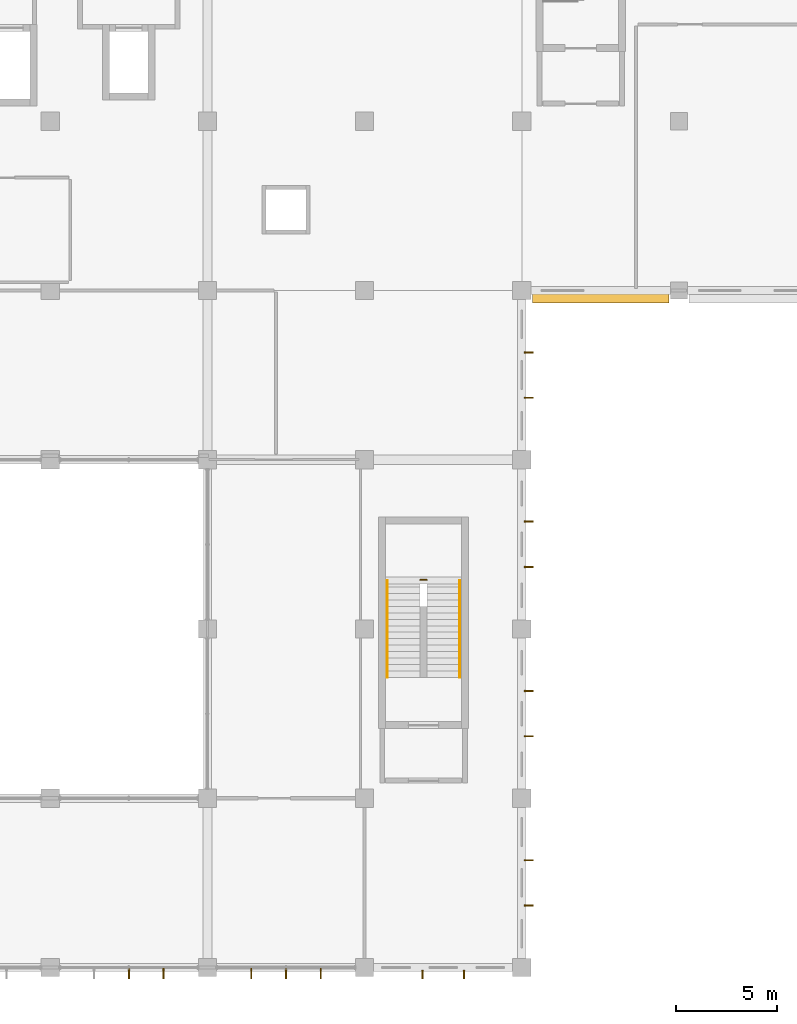
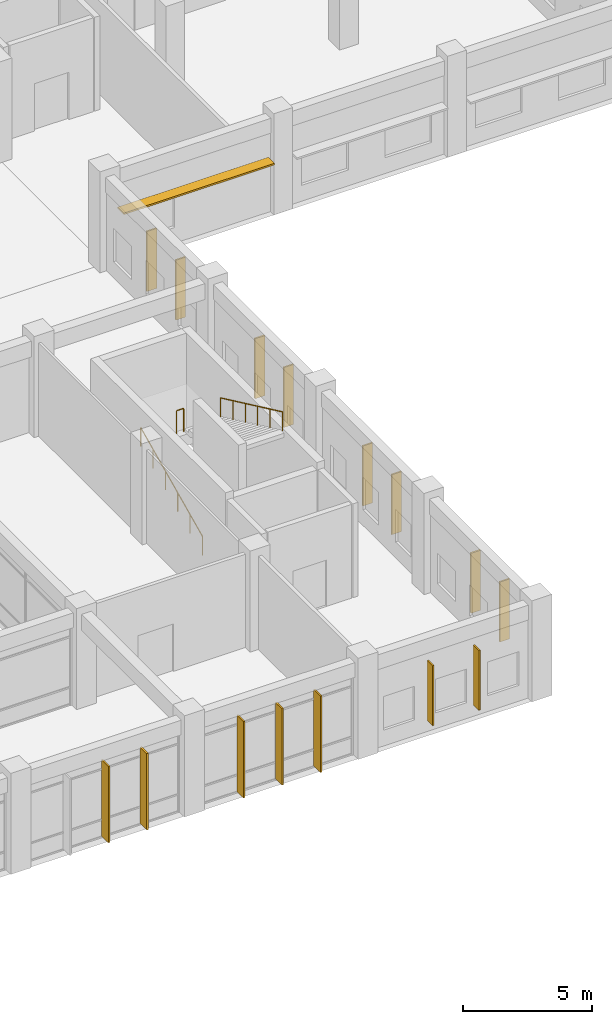
# One storey, part 77 of 79: 16 shading devices, 3 railings.
"""IFC4 building model written with IfcOpenShell, lengths in metres."""

from ifc_helpers import new_model, si_unit, direction, frame, origin, origin_2d, place, context, subcontext, project, spatial, rectangle, circle, extrude, material, layer, layer_set, type_object, element, save


model = new_model("IFC4")

# Units and contexts
model_context = context("Model", 3, precision=1e-05, world=origin(), true_north=direction((0.0, 1.0)))
body_context = subcontext(model_context, "Body", "Model", "MODEL_VIEW")
ifc_project = project(units=[si_unit("LENGTHUNIT", "METRE"), si_unit("AREAUNIT", "SQUARE_METRE"), si_unit("VOLUMEUNIT", "CUBIC_METRE"), si_unit("PLANEANGLEUNIT", "RADIAN"), si_unit("MASSUNIT", "GRAM", prefix="KILO"), si_unit("THERMODYNAMICTEMPERATUREUNIT", "KELVIN"), si_unit("POWERUNIT", "WATT")], contexts=[model_context])

# Site, building, storey
site_placement = place(None, origin())
site = spatial("IfcSite", under=ifc_project, at=site_placement, CompositionType="ELEMENT")
building_placement = place(site_placement, origin())
building = spatial("IfcBuilding", under=site, at=building_placement, Name="Srebrne Nadtorze General Hospital", CompositionType="ELEMENT")
storey_placement = place(building_placement, frame((0.0, 0.0, 4.800048828125)))
storey = spatial("IfcBuildingStorey", under=building, at=storey_placement, Name="L01", CompositionType="ELEMENT", Elevation=4.800048828125)

# Shading devices
ifc_material_1 = material(Name="Anodised Aluminium", Category="aluminium")
ifc_layer_1 = layer(ifc_material_1, 0.080078125)
ifc_layer_set_1 = layer_set([ifc_layer_1], Name="Anodised Aluminium")
shading_device_type_1 = type_object("IfcShadingDeviceType", Name="Hisashi horizontal aluminium sunshade", PredefinedType="JALOUSIE", material=ifc_layer_set_1)
shading_device_placement = place(storey_placement, frame((152.112548828125, 33.219970703125, 2.52001953125), z_axis=(0.0, 0.0, 1.0), x_axis=(1.0, 0.0, 0.0)))
element("IfcShadingDevice", 1, at=shading_device_placement, inside=storey, type_object=shading_device_type_1, Name="Hisashi horizontal sunshade eave LV-091", PredefinedType="JALOUSIE", context=body_context, shape_type="SweptSolid", body=[
    extrude(rectangle(XDim=6.764892578125, YDim=0.47998046875, at=origin_2d()), origin(), (0.0, 0.0, 1.0), 0.080078125),
])
ifc_material_2 = material(Name="Anodised Aluminium", Category="aluminium")
ifc_layer_2 = layer(ifc_material_2, 0.070068359375)
ifc_layer_set_2 = layer_set([ifc_layer_2], Name="Anodised Aluminium")
shading_device_type_2 = type_object("IfcShadingDeviceType", Name="Koushi vertical brise-soleil fin", PredefinedType="SHUTTER", material=ifc_layer_set_2)
for number, where, z_axis, x_axis, name in (
    (2, (128.699951171875, -0.300048828125, 0.06005859375), (0.0, 0.0, 1.0), (1.0, 0.0, 0.0), "Koushi vertical brise-soleil fin LV-081"),
    (3, (130.425048828125, -0.300048828125, 0.06005859375), (0.0, 0.0, 1.0), (1.0, 0.0, 0.0), "Koushi vertical brise-soleil fin LV-082"),
    (4, (134.77490234375, -0.300048828125, 0.06005859375), (0.0, 0.0, 1.0), (1.0, 0.0, 0.0), "Koushi vertical brise-soleil fin LV-083"),
    (5, (136.5, -0.300048828125, 0.06005859375), (0.0, 0.0, 1.0), (1.0, 0.0, 0.0), "Koushi vertical brise-soleil fin LV-084"),
    (6, (138.22509765625, -0.300048828125, 0.06005859375), (0.0, 0.0, 1.0), (1.0, 0.0, 0.0), "Koushi vertical brise-soleil fin LV-085"),
):
    element("IfcShadingDevice", number, at=place(storey_placement, frame(where, z_axis=z_axis, x_axis=x_axis)), inside=storey, type_object=shading_device_type_2, Name=name, PredefinedType="SHUTTER", context=body_context, shape_type="SweptSolid", body=[
        extrude(rectangle(XDim=0.070068359375, YDim=0.52001953125, at=origin_2d()), origin(), (0.0, 0.0, 1.0), 3.6298828125),
    ])
for number, where, z_axis, x_axis, name in (
    (7, (143.264892578125, -0.35009765625, 0.52490234375), (0.0, 0.0, 1.0), (1.0, 0.0, 0.0), "Clinic koushi vertical fin LV-086"),
    (8, (145.3349609375, -0.35009765625, 0.52490234375), (0.0, 0.0, 1.0), (1.0, 0.0, 0.0), "Clinic koushi vertical fin LV-087"),
):
    element("IfcShadingDevice", number, at=place(storey_placement, frame(where, z_axis=z_axis, x_axis=x_axis)), inside=storey, type_object=shading_device_type_2, Name=name, PredefinedType="SHUTTER", context=body_context, shape_type="SweptSolid", body=[
        extrude(rectangle(XDim=0.070068359375, YDim=0.43994140625, at=origin_2d()), origin(), (0.0, 0.0, 1.0), 2.85009765625),
    ])
for number, where, z_axis, x_axis, name in (
    (9, (148.550048828125, 3.074951171875, 0.52490234375), (0.0, 0.0, 1.0), (1.0, 0.0, 0.0), "Clinic koushi vertical fin LV-112"),
    (10, (148.550048828125, 5.324951171875, 0.52490234375), (0.0, 0.0, 1.0), (1.0, 0.0, 0.0), "Clinic koushi vertical fin LV-113"),
    (11, (148.550048828125, 11.47509765625, 0.52490234375), (0.0, 0.0, 1.0), (1.0, 0.0, 0.0), "Clinic koushi vertical fin LV-114"),
    (12, (148.550048828125, 13.72509765625, 0.52490234375), (0.0, 0.0, 1.0), (1.0, 0.0, 0.0), "Clinic koushi vertical fin LV-115"),
    (13, (148.550048828125, 19.875, 0.52490234375), (0.0, 0.0, 1.0), (1.0, 0.0, 0.0), "Clinic koushi vertical fin LV-116"),
    (14, (148.550048828125, 22.125, 0.52490234375), (0.0, 0.0, 1.0), (1.0, 0.0, 0.0), "Clinic koushi vertical fin LV-117"),
    (15, (148.550048828125, 28.27490234375, 0.52490234375), (0.0, 0.0, 1.0), (1.0, 0.0, 0.0), "Clinic koushi vertical fin LV-118"),
    (16, (148.550048828125, 30.52490234375, 0.52490234375), (0.0, 0.0, 1.0), (1.0, 0.0, 0.0), "Clinic koushi vertical fin LV-119"),
):
    element("IfcShadingDevice", number, at=place(storey_placement, frame(where, z_axis=z_axis, x_axis=x_axis)), inside=storey, type_object=shading_device_type_2, Name=name, PredefinedType="SHUTTER", context=body_context, shape_type="SweptSolid", body=[
        extrude(rectangle(XDim=0.43994140625, YDim=0.070068359375, at=origin_2d()), origin(), (0.0, 0.0, 1.0), 2.85009765625),
    ])

# Railings
ifc_material_3 = material(Name="Stainless Steel 316", Category="steel")
railing_type_1 = type_object("IfcRailingType", Name="Stairwell safety guard 1120", PredefinedType="BALUSTRADE", material=ifc_material_3)
railing_1_placement = place(storey_placement, frame((143.1650390625, 19.239990234375, 2.39990234375)))
element("IfcRailing", 17, at=railing_1_placement, inside=storey, type_object=railing_type_1, Name="Half landing well guard ST-08-L01", PredefinedType="BALUSTRADE", context=body_context, shape_type="SweptSolid", body=[
    extrude(circle(Radius=0.02392578125, at=origin_2d()), frame((0.0, 0.0, 1.09619140625), z_axis=(1.0, 0.0, 0.0), x_axis=(0.0, 1.0, 0.0)), (0.0, 0.0, 1.0), 0.320068359375),
    extrude(circle(Radius=0.02099609375, at=origin_2d()), origin(), (0.0, 0.0, 1.0), 1.072021484375),
    extrude(circle(Radius=0.02099609375, at=origin_2d()), frame((0.320068359375, 0.0, 0.0)), (0.0, 0.0, 1.0), 1.072021484375),
])
ifc_material_4 = material(Name="Stainless Steel 316", Category="steel")
railing_type_2 = type_object("IfcRailingType", Name="Tubular stainless handrail 920", PredefinedType="HANDRAIL", material=ifc_material_4)
railing_2_placement = place(storey_placement, frame((141.530029296875, 14.39990234375, 0.14990234375)))
element("IfcRailing", 18, at=railing_2_placement, inside=storey, type_object=railing_type_2, Name="Stair flight handrail ST-08-L01 F1", PredefinedType="HANDRAIL", context=body_context, shape_type="SweptSolid", body=[
    extrude(circle(Radius=0.02392578125, at=origin_2d()), frame((0.0, 0.0, 0.89599609375), z_axis=(0.0, 0.90546059521, 0.424430336476), x_axis=(-1.0, 0.0, 0.0)), (0.0, 0.0, 1.0), 5.30126953125),
    extrude(circle(Radius=0.02099609375, at=origin_2d()), origin(), (0.0, 0.0, 1.0), 0.871826171875),
    extrude(circle(Radius=0.02099609375, at=origin_2d()), frame((0.0, 0.9599609375, 0.449951171875)), (0.0, 0.0, 1.0), 0.871826171875),
    extrude(circle(Radius=0.02099609375, at=origin_2d()), frame((0.0, 1.919921875, 0.89990234375)), (0.0, 0.0, 1.0), 0.871826171875),
    extrude(circle(Radius=0.02099609375, at=origin_2d()), frame((0.0, 2.880126953125, 1.35009765625)), (0.0, 0.0, 1.0), 0.871826171875),
    extrude(circle(Radius=0.02099609375, at=origin_2d()), frame((0.0, 3.840087890625, 1.800048828125)), (0.0, 0.0, 1.0), 0.871826171875),
    extrude(circle(Radius=0.02099609375, at=origin_2d()), frame((0.0, 4.800048828125, 2.25)), (0.0, 0.0, 1.0), 0.871826171875),
])
railing_3_placement = place(storey_placement, frame((145.1201171875, 19.199951171875, 2.550048828125)))
element("IfcRailing", 19, at=railing_3_placement, inside=storey, type_object=railing_type_2, Name="Stair flight handrail ST-08-L01 F2", PredefinedType="HANDRAIL", context=body_context, shape_type="SweptSolid", body=[
    extrude(circle(Radius=0.02392578125, at=origin_2d()), frame((0.0, 0.0, 0.89599609375), z_axis=(0.0, -0.90546059521, 0.424430336476), x_axis=(1.0, 0.0, 0.0)), (0.0, 0.0, 1.0), 5.30126953125),
    extrude(circle(Radius=0.02099609375, at=origin_2d()), origin(), (0.0, 0.0, 1.0), 0.871826171875),
    extrude(circle(Radius=0.02099609375, at=origin_2d()), frame((0.0, -0.9599609375, 0.449951171875)), (0.0, 0.0, 1.0), 0.871826171875),
    extrude(circle(Radius=0.02099609375, at=origin_2d()), frame((0.0, -1.919921875, 0.89990234375)), (0.0, 0.0, 1.0), 0.871826171875),
    extrude(circle(Radius=0.02099609375, at=origin_2d()), frame((0.0, -2.880126953125, 1.35009765625)), (0.0, 0.0, 1.0), 0.871826171875),
    extrude(circle(Radius=0.02099609375, at=origin_2d()), frame((0.0, -3.840087890625, 1.800048828125)), (0.0, 0.0, 1.0), 0.871826171875),
    extrude(circle(Radius=0.02099609375, at=origin_2d()), frame((0.0, -4.800048828125, 2.25)), (0.0, 0.0, 1.0), 0.871826171875),
])

save(model, "model.ifc")
